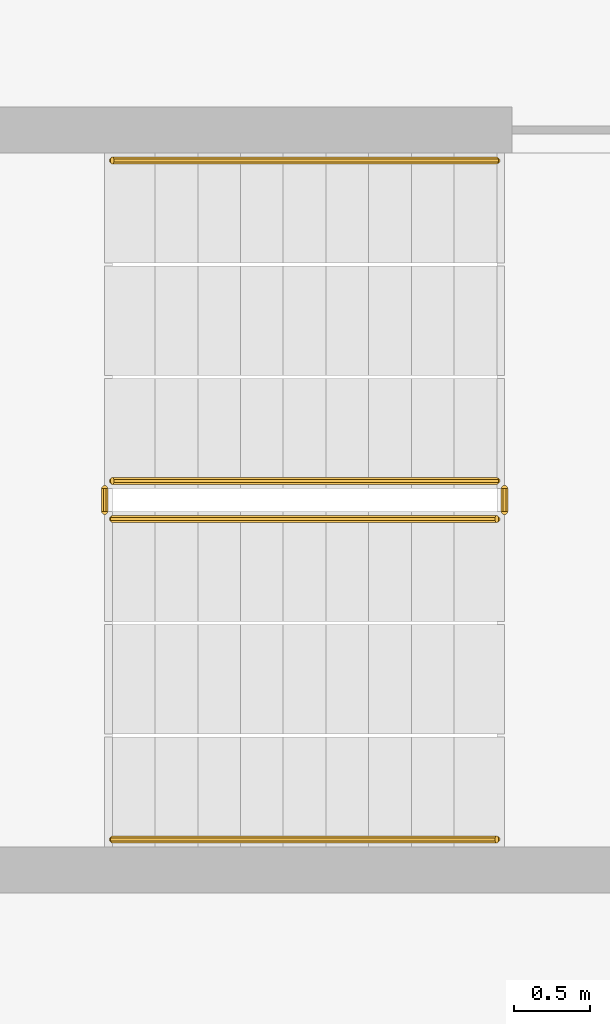
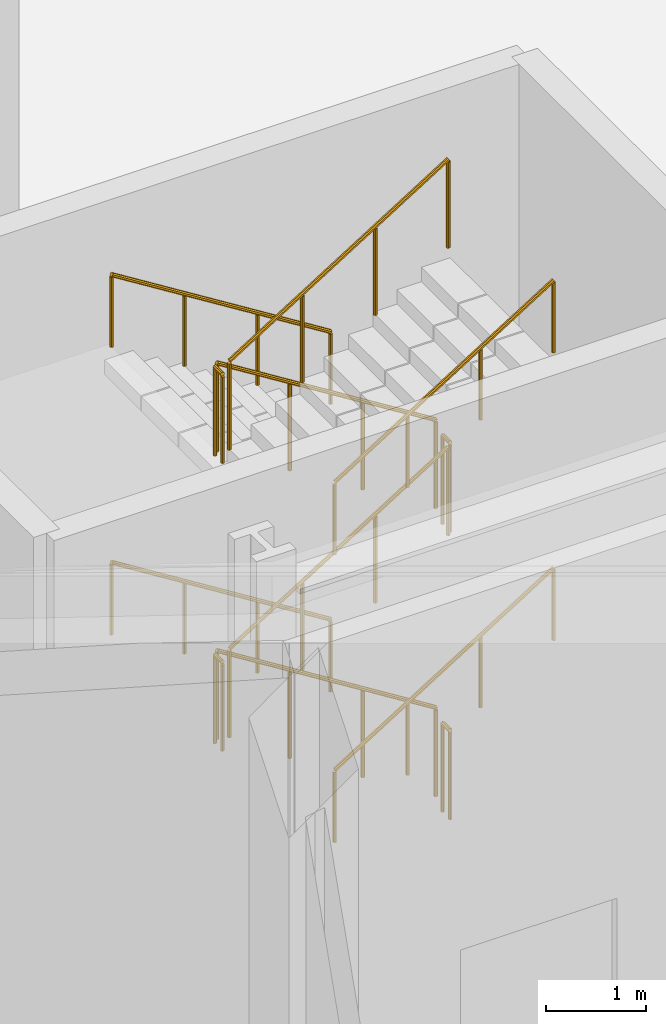
# One storey, part 45 of 57: 12 railings.
"""IFC4 building model written with IfcOpenShell, lengths in metres."""

from ifc_helpers import new_model, si_unit, direction, frame, origin, place, context, subcontext, project, spatial, polyline, outline, extrude, material, type_object, element, save


model = new_model("IFC4")

# Units and contexts
model_context = context("Model", 3, precision=1e-05, world=origin(), true_north=direction((0.0, 1.0)))
body_context = subcontext(model_context, "Body", "Model", "MODEL_VIEW")
ifc_project = project(units=[si_unit("LENGTHUNIT", "METRE"), si_unit("AREAUNIT", "SQUARE_METRE"), si_unit("VOLUMEUNIT", "CUBIC_METRE"), si_unit("PLANEANGLEUNIT", "RADIAN"), si_unit("MASSUNIT", "GRAM", prefix="KILO")], contexts=[model_context])

# Site, building, storey
site_placement = place(None, origin())
site = spatial("IfcSite", under=ifc_project, at=site_placement, CompositionType="ELEMENT")
building_placement = place(site_placement, origin())
building = spatial("IfcBuilding", under=site, at=building_placement, Name="Cormorant Relay Tower", CompositionType="ELEMENT")
storey_placement = place(building_placement, origin())
storey = spatial("IfcBuildingStorey", under=building, at=storey_placement, Name="L00", CompositionType="ELEMENT", Elevation=0.0)

# Railings
ifc_material_1 = material(Name="Steel ASTM A572 Grade 50 (Fy 345 MPa)", Category="steel")
railing_type_1 = type_object("IfcRailingType", Name="Stair guard 1100", PredefinedType="GUARDRAIL", material=ifc_material_1)
railing_1_placement = place(storey_placement, frame((1.60009765625, -18.27490234375, 0.175048828125)))
element("IfcRailing", 1, at=railing_1_placement, inside=storey, type_object=railing_type_1, Name="L00 RK1 stair guard 1", PredefinedType="GUARDRAIL", context=body_context, shape_type="SweptSolid", body=[
    extrude(outline(polyline([(0.022216796875, 0.00927734375), (0.00927734375, 0.022216796875), (-0.00927734375, 0.022216796875), (-0.022216796875, 0.00927734375), (-0.022216796875, -0.00927734375), (-0.00927734375, -0.022216796875), (0.00927734375, -0.022216796875), (0.022216796875, -0.00927734375), (0.022216796875, 0.00927734375)])), frame((0.0, 0.0, 1.076171875), z_axis=(-0.848007534815, 0.0, 0.529984170421), x_axis=(0.0, -1.0, 0.0)), (0.0, 0.0, 1.0), 2.9716796875),
    extrude(outline(polyline([(0.019287109375, 0.008056640625), (0.008056640625, 0.019287109375), (-0.008056640625, 0.019287109375), (-0.019287109375, 0.008056640625), (-0.019287109375, -0.008056640625), (-0.008056640625, -0.019287109375), (0.008056640625, -0.019287109375), (0.019287109375, -0.008056640625), (0.019287109375, 0.008056640625)])), origin(), (0.0, 0.0, 1.0), 1.052001953125),
    extrude(outline(polyline([(0.019287109375, 0.008056640625), (0.008056640625, 0.019287109375), (-0.008056640625, 0.019287109375), (-0.019287109375, 0.008056640625), (-0.019287109375, -0.008056640625), (-0.008056640625, -0.019287109375), (0.008056640625, -0.019287109375), (0.019287109375, -0.008056640625), (0.019287109375, 0.008056640625)])), frame((-0.840087890625, 0.0, 0.52490234375)), (0.0, 0.0, 1.0), 1.052001953125),
    extrude(outline(polyline([(0.019287109375, 0.008056640625), (0.008056640625, 0.019287109375), (-0.008056640625, 0.019287109375), (-0.019287109375, 0.008056640625), (-0.019287109375, -0.008056640625), (-0.008056640625, -0.019287109375), (0.008056640625, -0.019287109375), (0.019287109375, -0.008056640625), (0.019287109375, 0.008056640625)])), frame((-1.679931640625, 0.0, 1.050048828125)), (0.0, 0.0, 1.0), 1.052001953125),
    extrude(outline(polyline([(0.019287109375, 0.008056640625), (0.008056640625, 0.019287109375), (-0.008056640625, 0.019287109375), (-0.019287109375, 0.008056640625), (-0.019287109375, -0.008056640625), (-0.008056640625, -0.019287109375), (0.008056640625, -0.019287109375), (0.019287109375, -0.008056640625), (0.019287109375, 0.008056640625)])), frame((-2.52001953125, 0.0, 1.574951171875)), (0.0, 0.0, 1.0), 1.052001953125),
])
railing_2_placement = place(storey_placement, frame((-0.969970703125, -18.324951171875, 1.75)))
element("IfcRailing", 2, at=railing_2_placement, inside=storey, type_object=railing_type_1, Name="L00 RK1 stair guard 2", PredefinedType="GUARDRAIL", context=body_context, shape_type="SweptSolid", body=[
    extrude(outline(polyline([(0.022216796875, 0.00927734375), (0.00927734375, 0.022216796875), (-0.00927734375, 0.022216796875), (-0.022216796875, 0.00927734375), (-0.022216796875, -0.00927734375), (-0.00927734375, -0.022216796875), (0.00927734375, -0.022216796875), (0.022216796875, -0.00927734375), (0.022216796875, 0.00927734375)])), frame((0.0, 0.0, 1.076171875), z_axis=(0.0, -1.0, 0.0), x_axis=(1.0, 0.0, 0.0)), (0.0, 0.0, 1.0), 0.150146484375),
    extrude(outline(polyline([(0.019287109375, 0.008056640625), (0.008056640625, 0.019287109375), (-0.008056640625, 0.019287109375), (-0.019287109375, 0.008056640625), (-0.019287109375, -0.008056640625), (-0.008056640625, -0.019287109375), (0.008056640625, -0.019287109375), (0.019287109375, -0.008056640625), (0.019287109375, 0.008056640625)])), origin(), (0.0, 0.0, 1.0), 1.052001953125),
    extrude(outline(polyline([(0.019287109375, 0.008056640625), (0.008056640625, 0.019287109375), (-0.008056640625, 0.019287109375), (-0.019287109375, 0.008056640625), (-0.019287109375, -0.008056640625), (-0.008056640625, -0.019287109375), (0.008056640625, -0.019287109375), (0.019287109375, -0.008056640625), (0.019287109375, 0.008056640625)])), frame((0.0, -0.150146484375, 0.0)), (0.0, 0.0, 1.0), 1.052001953125),
])
railing_3_placement = place(storey_placement, frame((-0.919921875, -18.52490234375, 1.925048828125)))
element("IfcRailing", 3, at=railing_3_placement, inside=storey, type_object=railing_type_1, Name="L00 RK1 stair guard 3", PredefinedType="GUARDRAIL", context=body_context, shape_type="SweptSolid", body=[
    extrude(outline(polyline([(0.022216796875, 0.00927734375), (0.00927734375, 0.022216796875), (-0.00927734375, 0.022216796875), (-0.022216796875, 0.00927734375), (-0.022216796875, -0.00927734375), (-0.00927734375, -0.022216796875), (0.00927734375, -0.022216796875), (0.022216796875, -0.00927734375), (0.022216796875, 0.00927734375)])), frame((0.0, 0.0, 1.076171875), z_axis=(0.848007534815, 0.0, 0.529984170421), x_axis=(0.0, 1.0, 0.0)), (0.0, 0.0, 1.0), 2.9716796875),
    extrude(outline(polyline([(0.019287109375, 0.008056640625), (0.008056640625, 0.019287109375), (-0.008056640625, 0.019287109375), (-0.019287109375, 0.008056640625), (-0.019287109375, -0.008056640625), (-0.008056640625, -0.019287109375), (0.008056640625, -0.019287109375), (0.019287109375, -0.008056640625), (0.019287109375, 0.008056640625)])), origin(), (0.0, 0.0, 1.0), 1.052001953125),
    extrude(outline(polyline([(0.019287109375, 0.008056640625), (0.008056640625, 0.019287109375), (-0.008056640625, 0.019287109375), (-0.019287109375, 0.008056640625), (-0.019287109375, -0.008056640625), (-0.008056640625, -0.019287109375), (0.008056640625, -0.019287109375), (0.019287109375, -0.008056640625), (0.019287109375, 0.008056640625)])), frame((0.840087890625, 0.0, 0.52490234375)), (0.0, 0.0, 1.0), 1.052001953125),
    extrude(outline(polyline([(0.019287109375, 0.008056640625), (0.008056640625, 0.019287109375), (-0.008056640625, 0.019287109375), (-0.019287109375, 0.008056640625), (-0.019287109375, -0.008056640625), (-0.008056640625, -0.019287109375), (0.008056640625, -0.019287109375), (0.019287109375, -0.008056640625), (0.019287109375, 0.008056640625)])), frame((1.679931640625, 0.0, 1.050048828125)), (0.0, 0.0, 1.0), 1.052001953125),
    extrude(outline(polyline([(0.019287109375, 0.008056640625), (0.008056640625, 0.019287109375), (-0.008056640625, 0.019287109375), (-0.019287109375, 0.008056640625), (-0.019287109375, -0.008056640625), (-0.008056640625, -0.019287109375), (0.008056640625, -0.019287109375), (0.019287109375, -0.008056640625), (0.019287109375, 0.008056640625)])), frame((2.52001953125, 0.0, 1.574951171875)), (0.0, 0.0, 1.0), 1.052001953125),
])
railing_4_placement = place(storey_placement, frame((1.64990234375, -18.324951171875, 3.5)))
element("IfcRailing", 4, at=railing_4_placement, inside=storey, type_object=railing_type_1, Name="L00 RK1 stair guard 4", PredefinedType="GUARDRAIL", context=body_context, shape_type="SweptSolid", body=[
    extrude(outline(polyline([(0.022216796875, 0.00927734375), (0.00927734375, 0.022216796875), (-0.00927734375, 0.022216796875), (-0.022216796875, 0.00927734375), (-0.022216796875, -0.00927734375), (-0.00927734375, -0.022216796875), (0.00927734375, -0.022216796875), (0.022216796875, -0.00927734375), (0.022216796875, 0.00927734375)])), frame((0.0, 0.0, 1.076171875), z_axis=(0.0, -1.0, 0.0), x_axis=(1.0, 0.0, 0.0)), (0.0, 0.0, 1.0), 0.150146484375),
    extrude(outline(polyline([(0.019287109375, 0.008056640625), (0.008056640625, 0.019287109375), (-0.008056640625, 0.019287109375), (-0.019287109375, 0.008056640625), (-0.019287109375, -0.008056640625), (-0.008056640625, -0.019287109375), (0.008056640625, -0.019287109375), (0.019287109375, -0.008056640625), (0.019287109375, 0.008056640625)])), origin(), (0.0, 0.0, 1.0), 1.052001953125),
    extrude(outline(polyline([(0.019287109375, 0.008056640625), (0.008056640625, 0.019287109375), (-0.008056640625, 0.019287109375), (-0.019287109375, 0.008056640625), (-0.019287109375, -0.008056640625), (-0.008056640625, -0.019287109375), (0.008056640625, -0.019287109375), (0.019287109375, -0.008056640625), (0.019287109375, 0.008056640625)])), frame((0.0, -0.150146484375, 0.0)), (0.0, 0.0, 1.0), 1.052001953125),
])
railing_5_placement = place(storey_placement, frame((1.60009765625, -18.27490234375, 3.675048828125)))
element("IfcRailing", 5, at=railing_5_placement, inside=storey, type_object=railing_type_1, Name="L00 RK1 stair guard 5", PredefinedType="GUARDRAIL", context=body_context, shape_type="SweptSolid", body=[
    extrude(outline(polyline([(0.022216796875, 0.00927734375), (0.00927734375, 0.022216796875), (-0.00927734375, 0.022216796875), (-0.022216796875, 0.00927734375), (-0.022216796875, -0.00927734375), (-0.00927734375, -0.022216796875), (0.00927734375, -0.022216796875), (0.022216796875, -0.00927734375), (0.022216796875, 0.00927734375)])), frame((0.0, 0.0, 1.076171875), z_axis=(-0.848007534815, 0.0, 0.529984170421), x_axis=(0.0, -1.0, 0.0)), (0.0, 0.0, 1.0), 2.9716796875),
    extrude(outline(polyline([(0.019287109375, 0.008056640625), (0.008056640625, 0.019287109375), (-0.008056640625, 0.019287109375), (-0.019287109375, 0.008056640625), (-0.019287109375, -0.008056640625), (-0.008056640625, -0.019287109375), (0.008056640625, -0.019287109375), (0.019287109375, -0.008056640625), (0.019287109375, 0.008056640625)])), origin(), (0.0, 0.0, 1.0), 1.052001953125),
    extrude(outline(polyline([(0.019287109375, 0.008056640625), (0.008056640625, 0.019287109375), (-0.008056640625, 0.019287109375), (-0.019287109375, 0.008056640625), (-0.019287109375, -0.008056640625), (-0.008056640625, -0.019287109375), (0.008056640625, -0.019287109375), (0.019287109375, -0.008056640625), (0.019287109375, 0.008056640625)])), frame((-0.840087890625, 0.0, 0.52490234375)), (0.0, 0.0, 1.0), 1.052001953125),
    extrude(outline(polyline([(0.019287109375, 0.008056640625), (0.008056640625, 0.019287109375), (-0.008056640625, 0.019287109375), (-0.019287109375, 0.008056640625), (-0.019287109375, -0.008056640625), (-0.008056640625, -0.019287109375), (0.008056640625, -0.019287109375), (0.019287109375, -0.008056640625), (0.019287109375, 0.008056640625)])), frame((-1.679931640625, 0.0, 1.050048828125)), (0.0, 0.0, 1.0), 1.052001953125),
    extrude(outline(polyline([(0.019287109375, 0.008056640625), (0.008056640625, 0.019287109375), (-0.008056640625, 0.019287109375), (-0.019287109375, 0.008056640625), (-0.019287109375, -0.008056640625), (-0.008056640625, -0.019287109375), (0.008056640625, -0.019287109375), (0.019287109375, -0.008056640625), (0.019287109375, 0.008056640625)])), frame((-2.52001953125, 0.0, 1.574951171875)), (0.0, 0.0, 1.0), 1.052001953125),
])
railing_6_placement = place(storey_placement, frame((-0.969970703125, -18.324951171875, 5.25)))
element("IfcRailing", 6, at=railing_6_placement, inside=storey, type_object=railing_type_1, Name="L00 RK1 stair guard 6", PredefinedType="GUARDRAIL", context=body_context, shape_type="SweptSolid", body=[
    extrude(outline(polyline([(0.022216796875, 0.00927734375), (0.00927734375, 0.022216796875), (-0.00927734375, 0.022216796875), (-0.022216796875, 0.00927734375), (-0.022216796875, -0.00927734375), (-0.00927734375, -0.022216796875), (0.00927734375, -0.022216796875), (0.022216796875, -0.00927734375), (0.022216796875, 0.00927734375)])), frame((0.0, 0.0, 1.076171875), z_axis=(0.0, -1.0, 0.0), x_axis=(1.0, 0.0, 0.0)), (0.0, 0.0, 1.0), 0.150146484375),
    extrude(outline(polyline([(0.019287109375, 0.008056640625), (0.008056640625, 0.019287109375), (-0.008056640625, 0.019287109375), (-0.019287109375, 0.008056640625), (-0.019287109375, -0.008056640625), (-0.008056640625, -0.019287109375), (0.008056640625, -0.019287109375), (0.019287109375, -0.008056640625), (0.019287109375, 0.008056640625)])), origin(), (0.0, 0.0, 1.0), 1.052001953125),
    extrude(outline(polyline([(0.019287109375, 0.008056640625), (0.008056640625, 0.019287109375), (-0.008056640625, 0.019287109375), (-0.019287109375, 0.008056640625), (-0.019287109375, -0.008056640625), (-0.008056640625, -0.019287109375), (0.008056640625, -0.019287109375), (0.019287109375, -0.008056640625), (0.019287109375, 0.008056640625)])), frame((0.0, -0.150146484375, 0.0)), (0.0, 0.0, 1.0), 1.052001953125),
])
railing_7_placement = place(storey_placement, frame((-0.919921875, -18.52490234375, 5.425048828125)))
element("IfcRailing", 7, at=railing_7_placement, inside=storey, type_object=railing_type_1, Name="L00 RK1 stair guard 7", PredefinedType="GUARDRAIL", context=body_context, shape_type="SweptSolid", body=[
    extrude(outline(polyline([(0.022216796875, 0.00927734375), (0.00927734375, 0.022216796875), (-0.00927734375, 0.022216796875), (-0.022216796875, 0.00927734375), (-0.022216796875, -0.00927734375), (-0.00927734375, -0.022216796875), (0.00927734375, -0.022216796875), (0.022216796875, -0.00927734375), (0.022216796875, 0.00927734375)])), frame((0.0, 0.0, 1.076171875), z_axis=(0.848007534815, 0.0, 0.529984170421), x_axis=(0.0, 1.0, 0.0)), (0.0, 0.0, 1.0), 2.9716796875),
    extrude(outline(polyline([(0.019287109375, 0.008056640625), (0.008056640625, 0.019287109375), (-0.008056640625, 0.019287109375), (-0.019287109375, 0.008056640625), (-0.019287109375, -0.008056640625), (-0.008056640625, -0.019287109375), (0.008056640625, -0.019287109375), (0.019287109375, -0.008056640625), (0.019287109375, 0.008056640625)])), origin(), (0.0, 0.0, 1.0), 1.052001953125),
    extrude(outline(polyline([(0.019287109375, 0.008056640625), (0.008056640625, 0.019287109375), (-0.008056640625, 0.019287109375), (-0.019287109375, 0.008056640625), (-0.019287109375, -0.008056640625), (-0.008056640625, -0.019287109375), (0.008056640625, -0.019287109375), (0.019287109375, -0.008056640625), (0.019287109375, 0.008056640625)])), frame((0.840087890625, 0.0, 0.52490234375)), (0.0, 0.0, 1.0), 1.052001953125),
    extrude(outline(polyline([(0.019287109375, 0.008056640625), (0.008056640625, 0.019287109375), (-0.008056640625, 0.019287109375), (-0.019287109375, 0.008056640625), (-0.019287109375, -0.008056640625), (-0.008056640625, -0.019287109375), (0.008056640625, -0.019287109375), (0.019287109375, -0.008056640625), (0.019287109375, 0.008056640625)])), frame((1.679931640625, 0.0, 1.050048828125)), (0.0, 0.0, 1.0), 1.052001953125),
    extrude(outline(polyline([(0.019287109375, 0.008056640625), (0.008056640625, 0.019287109375), (-0.008056640625, 0.019287109375), (-0.019287109375, 0.008056640625), (-0.019287109375, -0.008056640625), (-0.008056640625, -0.019287109375), (0.008056640625, -0.019287109375), (0.019287109375, -0.008056640625), (0.019287109375, 0.008056640625)])), frame((2.52001953125, 0.0, 1.574951171875)), (0.0, 0.0, 1.0), 1.052001953125),
])
railing_8_placement = place(storey_placement, frame((1.64990234375, -18.324951171875, 0.0)))
element("IfcRailing", 8, at=railing_8_placement, inside=storey, type_object=railing_type_1, Name="L00 RK1 stair guard 8", PredefinedType="GUARDRAIL", context=body_context, shape_type="SweptSolid", body=[
    extrude(outline(polyline([(0.022216796875, 0.00927734375), (0.00927734375, 0.022216796875), (-0.00927734375, 0.022216796875), (-0.022216796875, 0.00927734375), (-0.022216796875, -0.00927734375), (-0.00927734375, -0.022216796875), (0.00927734375, -0.022216796875), (0.022216796875, -0.00927734375), (0.022216796875, 0.00927734375)])), frame((0.0, 0.0, 1.076171875), z_axis=(0.0, -1.0, 0.0), x_axis=(1.0, 0.0, 0.0)), (0.0, 0.0, 1.0), 0.150146484375),
    extrude(outline(polyline([(0.019287109375, 0.008056640625), (0.008056640625, 0.019287109375), (-0.008056640625, 0.019287109375), (-0.019287109375, 0.008056640625), (-0.019287109375, -0.008056640625), (-0.008056640625, -0.019287109375), (0.008056640625, -0.019287109375), (0.019287109375, -0.008056640625), (0.019287109375, 0.008056640625)])), origin(), (0.0, 0.0, 1.0), 1.052001953125),
    extrude(outline(polyline([(0.019287109375, 0.008056640625), (0.008056640625, 0.019287109375), (-0.008056640625, 0.019287109375), (-0.019287109375, 0.008056640625), (-0.019287109375, -0.008056640625), (-0.008056640625, -0.019287109375), (0.008056640625, -0.019287109375), (0.019287109375, -0.008056640625), (0.019287109375, 0.008056640625)])), frame((0.0, -0.150146484375, 0.0)), (0.0, 0.0, 1.0), 1.052001953125),
])
ifc_material_2 = material(Name="Steel ASTM A572 Grade 50 (Fy 345 MPa)", Category="steel")
railing_type_2 = type_object("IfcRailingType", Name="Stair handrail 900", PredefinedType="HANDRAIL", material=ifc_material_2)
railing_9_placement = place(storey_placement, frame((1.60009765625, -16.175048828125, 0.175048828125)))
element("IfcRailing", 9, at=railing_9_placement, inside=storey, type_object=railing_type_2, Name="L00 RK1 stair handrail 1", PredefinedType="HANDRAIL", context=body_context, shape_type="SweptSolid", body=[
    extrude(outline(polyline([(0.022216796875, 0.00927734375), (0.00927734375, 0.022216796875), (-0.00927734375, 0.022216796875), (-0.022216796875, 0.00927734375), (-0.022216796875, -0.00927734375), (-0.00927734375, -0.022216796875), (0.00927734375, -0.022216796875), (0.022216796875, -0.00927734375), (0.022216796875, 0.00927734375)])), frame((0.0, 0.0, 0.8759765625), z_axis=(-0.848007534815, 0.0, 0.529984170421), x_axis=(0.0, -1.0, 0.0)), (0.0, 0.0, 1.0), 2.9716796875),
    extrude(outline(polyline([(0.019287109375, 0.008056640625), (0.008056640625, 0.019287109375), (-0.008056640625, 0.019287109375), (-0.019287109375, 0.008056640625), (-0.019287109375, -0.008056640625), (-0.008056640625, -0.019287109375), (0.008056640625, -0.019287109375), (0.019287109375, -0.008056640625), (0.019287109375, 0.008056640625)])), origin(), (0.0, 0.0, 1.0), 0.851806640625),
    extrude(outline(polyline([(0.019287109375, 0.008056640625), (0.008056640625, 0.019287109375), (-0.008056640625, 0.019287109375), (-0.019287109375, 0.008056640625), (-0.019287109375, -0.008056640625), (-0.008056640625, -0.019287109375), (0.008056640625, -0.019287109375), (0.019287109375, -0.008056640625), (0.019287109375, 0.008056640625)])), frame((-0.840087890625, 0.0, 0.52490234375)), (0.0, 0.0, 1.0), 0.851806640625),
    extrude(outline(polyline([(0.019287109375, 0.008056640625), (0.008056640625, 0.019287109375), (-0.008056640625, 0.019287109375), (-0.019287109375, 0.008056640625), (-0.019287109375, -0.008056640625), (-0.008056640625, -0.019287109375), (0.008056640625, -0.019287109375), (0.019287109375, -0.008056640625), (0.019287109375, 0.008056640625)])), frame((-1.679931640625, 0.0, 1.050048828125)), (0.0, 0.0, 1.0), 0.851806640625),
    extrude(outline(polyline([(0.019287109375, 0.008056640625), (0.008056640625, 0.019287109375), (-0.008056640625, 0.019287109375), (-0.019287109375, 0.008056640625), (-0.019287109375, -0.008056640625), (-0.008056640625, -0.019287109375), (0.008056640625, -0.019287109375), (0.019287109375, -0.008056640625), (0.019287109375, 0.008056640625)])), frame((-2.52001953125, 0.0, 1.574951171875)), (0.0, 0.0, 1.0), 0.851806640625),
])
railing_10_placement = place(storey_placement, frame((-0.919921875, -20.625, 1.925048828125)))
element("IfcRailing", 10, at=railing_10_placement, inside=storey, type_object=railing_type_2, Name="L00 RK1 stair handrail 2", PredefinedType="HANDRAIL", context=body_context, shape_type="SweptSolid", body=[
    extrude(outline(polyline([(0.022216796875, 0.00927734375), (0.00927734375, 0.022216796875), (-0.00927734375, 0.022216796875), (-0.022216796875, 0.00927734375), (-0.022216796875, -0.00927734375), (-0.00927734375, -0.022216796875), (0.00927734375, -0.022216796875), (0.022216796875, -0.00927734375), (0.022216796875, 0.00927734375)])), frame((0.0, 0.0, 0.8759765625), z_axis=(0.848007534815, 0.0, 0.529984170421), x_axis=(0.0, 1.0, 0.0)), (0.0, 0.0, 1.0), 2.9716796875),
    extrude(outline(polyline([(0.019287109375, 0.008056640625), (0.008056640625, 0.019287109375), (-0.008056640625, 0.019287109375), (-0.019287109375, 0.008056640625), (-0.019287109375, -0.008056640625), (-0.008056640625, -0.019287109375), (0.008056640625, -0.019287109375), (0.019287109375, -0.008056640625), (0.019287109375, 0.008056640625)])), origin(), (0.0, 0.0, 1.0), 0.851806640625),
    extrude(outline(polyline([(0.019287109375, 0.008056640625), (0.008056640625, 0.019287109375), (-0.008056640625, 0.019287109375), (-0.019287109375, 0.008056640625), (-0.019287109375, -0.008056640625), (-0.008056640625, -0.019287109375), (0.008056640625, -0.019287109375), (0.019287109375, -0.008056640625), (0.019287109375, 0.008056640625)])), frame((0.840087890625, 0.0, 0.52490234375)), (0.0, 0.0, 1.0), 0.851806640625),
    extrude(outline(polyline([(0.019287109375, 0.008056640625), (0.008056640625, 0.019287109375), (-0.008056640625, 0.019287109375), (-0.019287109375, 0.008056640625), (-0.019287109375, -0.008056640625), (-0.008056640625, -0.019287109375), (0.008056640625, -0.019287109375), (0.019287109375, -0.008056640625), (0.019287109375, 0.008056640625)])), frame((1.679931640625, 0.0, 1.050048828125)), (0.0, 0.0, 1.0), 0.851806640625),
    extrude(outline(polyline([(0.019287109375, 0.008056640625), (0.008056640625, 0.019287109375), (-0.008056640625, 0.019287109375), (-0.019287109375, 0.008056640625), (-0.019287109375, -0.008056640625), (-0.008056640625, -0.019287109375), (0.008056640625, -0.019287109375), (0.019287109375, -0.008056640625), (0.019287109375, 0.008056640625)])), frame((2.52001953125, 0.0, 1.574951171875)), (0.0, 0.0, 1.0), 0.851806640625),
])
railing_11_placement = place(storey_placement, frame((1.60009765625, -16.175048828125, 3.675048828125)))
element("IfcRailing", 11, at=railing_11_placement, inside=storey, type_object=railing_type_2, Name="L00 RK1 stair handrail 3", PredefinedType="HANDRAIL", context=body_context, shape_type="SweptSolid", body=[
    extrude(outline(polyline([(0.022216796875, 0.00927734375), (0.00927734375, 0.022216796875), (-0.00927734375, 0.022216796875), (-0.022216796875, 0.00927734375), (-0.022216796875, -0.00927734375), (-0.00927734375, -0.022216796875), (0.00927734375, -0.022216796875), (0.022216796875, -0.00927734375), (0.022216796875, 0.00927734375)])), frame((0.0, 0.0, 0.8759765625), z_axis=(-0.848007534815, 0.0, 0.529984170421), x_axis=(0.0, -1.0, 0.0)), (0.0, 0.0, 1.0), 2.9716796875),
    extrude(outline(polyline([(0.019287109375, 0.008056640625), (0.008056640625, 0.019287109375), (-0.008056640625, 0.019287109375), (-0.019287109375, 0.008056640625), (-0.019287109375, -0.008056640625), (-0.008056640625, -0.019287109375), (0.008056640625, -0.019287109375), (0.019287109375, -0.008056640625), (0.019287109375, 0.008056640625)])), origin(), (0.0, 0.0, 1.0), 0.851806640625),
    extrude(outline(polyline([(0.019287109375, 0.008056640625), (0.008056640625, 0.019287109375), (-0.008056640625, 0.019287109375), (-0.019287109375, 0.008056640625), (-0.019287109375, -0.008056640625), (-0.008056640625, -0.019287109375), (0.008056640625, -0.019287109375), (0.019287109375, -0.008056640625), (0.019287109375, 0.008056640625)])), frame((-0.840087890625, 0.0, 0.52490234375)), (0.0, 0.0, 1.0), 0.851806640625),
    extrude(outline(polyline([(0.019287109375, 0.008056640625), (0.008056640625, 0.019287109375), (-0.008056640625, 0.019287109375), (-0.019287109375, 0.008056640625), (-0.019287109375, -0.008056640625), (-0.008056640625, -0.019287109375), (0.008056640625, -0.019287109375), (0.019287109375, -0.008056640625), (0.019287109375, 0.008056640625)])), frame((-1.679931640625, 0.0, 1.050048828125)), (0.0, 0.0, 1.0), 0.851806640625),
    extrude(outline(polyline([(0.019287109375, 0.008056640625), (0.008056640625, 0.019287109375), (-0.008056640625, 0.019287109375), (-0.019287109375, 0.008056640625), (-0.019287109375, -0.008056640625), (-0.008056640625, -0.019287109375), (0.008056640625, -0.019287109375), (0.019287109375, -0.008056640625), (0.019287109375, 0.008056640625)])), frame((-2.52001953125, 0.0, 1.574951171875)), (0.0, 0.0, 1.0), 0.851806640625),
])
railing_12_placement = place(storey_placement, frame((-0.919921875, -20.625, 5.425048828125)))
element("IfcRailing", 12, at=railing_12_placement, inside=storey, type_object=railing_type_2, Name="L00 RK1 stair handrail 4", PredefinedType="HANDRAIL", context=body_context, shape_type="SweptSolid", body=[
    extrude(outline(polyline([(0.022216796875, 0.00927734375), (0.00927734375, 0.022216796875), (-0.00927734375, 0.022216796875), (-0.022216796875, 0.00927734375), (-0.022216796875, -0.00927734375), (-0.00927734375, -0.022216796875), (0.00927734375, -0.022216796875), (0.022216796875, -0.00927734375), (0.022216796875, 0.00927734375)])), frame((0.0, 0.0, 0.8759765625), z_axis=(0.848007534815, 0.0, 0.529984170421), x_axis=(0.0, 1.0, 0.0)), (0.0, 0.0, 1.0), 2.9716796875),
    extrude(outline(polyline([(0.019287109375, 0.008056640625), (0.008056640625, 0.019287109375), (-0.008056640625, 0.019287109375), (-0.019287109375, 0.008056640625), (-0.019287109375, -0.008056640625), (-0.008056640625, -0.019287109375), (0.008056640625, -0.019287109375), (0.019287109375, -0.008056640625), (0.019287109375, 0.008056640625)])), origin(), (0.0, 0.0, 1.0), 0.851806640625),
    extrude(outline(polyline([(0.019287109375, 0.008056640625), (0.008056640625, 0.019287109375), (-0.008056640625, 0.019287109375), (-0.019287109375, 0.008056640625), (-0.019287109375, -0.008056640625), (-0.008056640625, -0.019287109375), (0.008056640625, -0.019287109375), (0.019287109375, -0.008056640625), (0.019287109375, 0.008056640625)])), frame((0.840087890625, 0.0, 0.52490234375)), (0.0, 0.0, 1.0), 0.851806640625),
    extrude(outline(polyline([(0.019287109375, 0.008056640625), (0.008056640625, 0.019287109375), (-0.008056640625, 0.019287109375), (-0.019287109375, 0.008056640625), (-0.019287109375, -0.008056640625), (-0.008056640625, -0.019287109375), (0.008056640625, -0.019287109375), (0.019287109375, -0.008056640625), (0.019287109375, 0.008056640625)])), frame((1.679931640625, 0.0, 1.050048828125)), (0.0, 0.0, 1.0), 0.851806640625),
    extrude(outline(polyline([(0.019287109375, 0.008056640625), (0.008056640625, 0.019287109375), (-0.008056640625, 0.019287109375), (-0.019287109375, 0.008056640625), (-0.019287109375, -0.008056640625), (-0.008056640625, -0.019287109375), (0.008056640625, -0.019287109375), (0.019287109375, -0.008056640625), (0.019287109375, 0.008056640625)])), frame((2.52001953125, 0.0, 1.574951171875)), (0.0, 0.0, 1.0), 0.851806640625),
])

save(model, "model.ifc")
